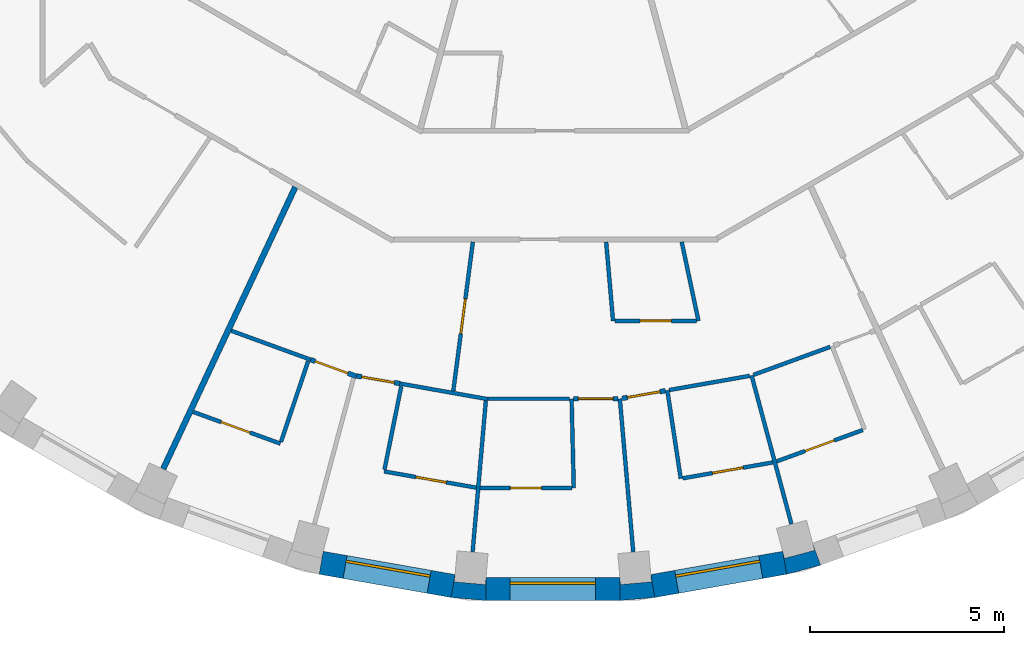
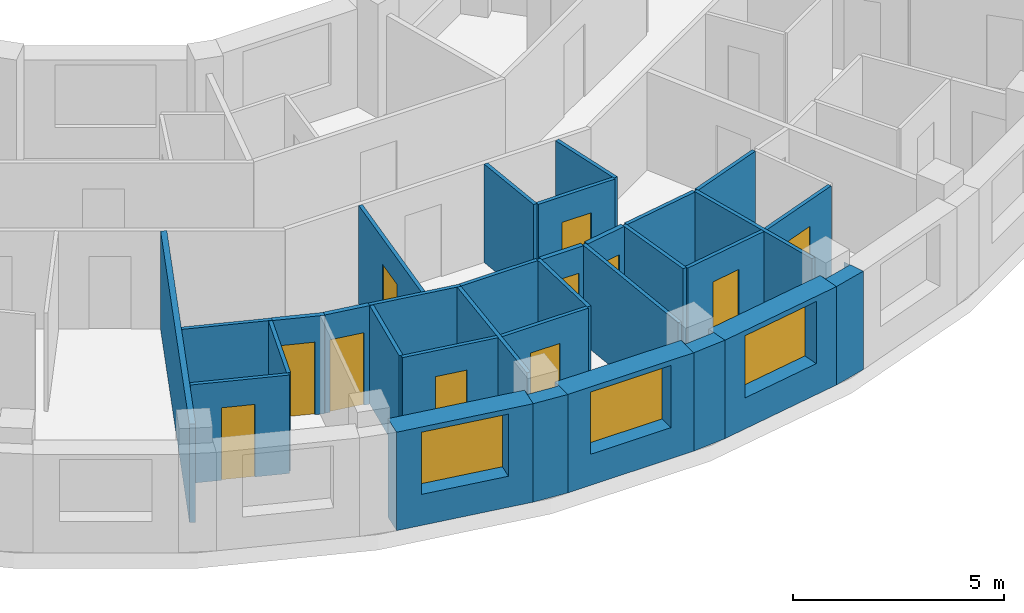
# One storey, part 4 of 15: 32 walls, 11 doors, 3 windows, 14 openings.
"""IFC4 building model written with IfcOpenShell, lengths in metres."""

from ifc_helpers import new_model, si_unit, direction, frame, frame_2d, origin, place, context, subcontext, project, spatial, polyline, rectangle, outline, extrude, material, layer, layer_set, type_object, element, fill, save


model = new_model("IFC4")

# Units and contexts
model_context = context("Model", 3, precision=1e-05, world=origin(), true_north=direction((0.0, 1.0)))
body_context = subcontext(model_context, "Body", "Model", "MODEL_VIEW")
ifc_project = project(units=[si_unit("LENGTHUNIT", "METRE"), si_unit("AREAUNIT", "SQUARE_METRE"), si_unit("VOLUMEUNIT", "CUBIC_METRE"), si_unit("PLANEANGLEUNIT", "RADIAN"), si_unit("MASSUNIT", "GRAM", prefix="KILO")], contexts=[model_context])

# Site, building, storey
site_placement = place(None, origin())
site = spatial("IfcSite", under=ifc_project, at=site_placement, CompositionType="ELEMENT")
building_placement = place(site_placement, origin())
building = spatial("IfcBuilding", under=site, at=building_placement, Name="Saqina Gate Tower", CompositionType="ELEMENT")
storey_placement = place(building_placement, frame((0.0, 0.0, 197.10009765625)))
storey = spatial("IfcBuildingStorey", under=building, at=storey_placement, Name="L56", CompositionType="ELEMENT", Elevation=197.10009765625)

# Walls
ifc_material_1 = material(Name="Brick masonry (buff)", Category="masonry")
wall_type_1 = type_object("IfcWallType", Name="BRICK PIER COPING BUFF", PredefinedType="SOLIDWALL", material=ifc_material_1)
wall_1_placement = place(storey_placement, origin())
element("IfcWall", 1, at=wall_1_placement, inside=storey, type_object=wall_type_1, Name="Pier cap L56 column 27", PredefinedType="SOLIDWALL", context=body_context, shape_type="SweptSolid", body=[
    extrude(outline(polyline([(-2.6259765625, -24.825927734375), (-1.724853515625, -24.90478515625), (-1.724853515625, -24.304931640625), (-1.7412109375, -24.491455078125), (-2.5380859375, -24.421630859375), (-2.521728515625, -24.235107421875), (-2.6259765625, -24.825927734375)])), origin(), (0.0, 0.0, 1.0), 2.849853515625),
])
wall_2_placement = place(storey_placement, origin())
element("IfcWall", 2, at=wall_2_placement, inside=storey, type_object=wall_type_1, Name="Pier cap L56 column 28", PredefinedType="SOLIDWALL", context=body_context, shape_type="SweptSolid", body=[
    extrude(outline(polyline([(1.724853515625, -24.90478515625), (2.6259765625, -24.825927734375), (2.521728515625, -24.235107421875), (2.5380859375, -24.421630859375), (1.7412109375, -24.491455078125), (1.724853515625, -24.304931640625), (1.724853515625, -24.90478515625)])), origin(), (0.0, 0.0, 1.0), 2.849853515625),
])
wall_3_placement = place(storey_placement, origin())
element("IfcWall", 3, at=wall_3_placement, inside=storey, type_object=wall_type_1, Name="Pier cap L56 column 29", PredefinedType="SOLIDWALL", context=body_context, shape_type="SweptSolid", body=[
    extrude(outline(polyline([(6.0234375, -24.22705078125), (6.897216796875, -23.992919921875), (6.69189453125, -23.428955078125), (6.740478515625, -23.610107421875), (5.967529296875, -23.81689453125), (5.919189453125, -23.635986328125), (6.0234375, -24.22705078125)])), origin(), (0.0, 0.0, 1.0), 2.849853515625),
])

# Wall, opening, window
ifc_material_2 = material(Name="Brick masonry (buff)", Category="masonry")
ifc_layer_1 = layer(ifc_material_2, 0.60009765625)
ifc_layer_set_1 = layer_set([ifc_layer_1], Name="FW-BRICK-BUFF")
wall_type_2 = type_object("IfcWallType", Name="FW-BRICK-BUFF", PredefinedType="SOLIDWALL", material=ifc_layer_set_1)
wall_4_placement = place(storey_placement, frame((-5.97119140625, -23.931640625, 0.0), z_axis=(0.0, 0.0, 1.0), x_axis=(0.984814892183, -0.173607684551, 0.0)))
wall_4 = element("IfcWall", 4, at=wall_4_placement, inside=storey, type_object=wall_type_2, Name="Facade wall L56 facet 26", PredefinedType="SOLIDWALL", context=body_context, shape_type="SweptSolid", body=[
    extrude(rectangle(XDim=3.44970703125, YDim=0.60009765625, at=frame_2d((1.724853515625, 0.0))), origin(), (0.0, 0.0, 1.0), 2.849853515625),
])
opening_1_placement = place(wall_4_placement, frame((0.625, 0.0, 0.89990234375)))
opening_1 = element("IfcOpeningElement", 5, at=opening_1_placement, cuts=wall_4, Name="Opening G16-W15", PredefinedType="OPENING", context=body_context, shape_type="SweptSolid", body=[
    extrude(rectangle(XDim=2.199951171875, YDim=1.800048828125, at=frame_2d((1.10009765625, 0.89990234375))), frame((0.0, 0.31201171875, 0.0), z_axis=(0.0, -1.0, 0.0), x_axis=(1.0, 0.0, 0.0)), (0.0, 0.0, 1.0), 0.6240234375),
])
ifc_material_3 = material(Name="Aluminium glazing", Category="aluminium")
window_type = type_object("IfcWindowType", Name="WN-C", PartitioningType="SINGLE_PANEL", PredefinedType="WINDOW", material=ifc_material_3)
window_1_placement = place(opening_1_placement, origin())
window_1 = element("IfcWindow", 6, at=window_1_placement, inside=storey, type_object=window_type, Name="Window L56 facet 26", OverallHeight=1.800048828125, OverallWidth=2.199951171875, PartitioningType="SINGLE_PANEL", PredefinedType="WINDOW", context=body_context, shape_type="SweptSolid", body=[
    extrude(rectangle(XDim=2.199951171875, YDim=1.800048828125, at=frame_2d((1.10009765625, 0.89990234375))), frame((0.0, 0.179931640625, 0.0), z_axis=(0.0, -1.0, 0.0), x_axis=(1.0, 0.0, 0.0)), (0.0, 0.0, 1.0), 0.06005859375),
])
fill(opening_1, window_1)

wall_5_placement = place(storey_placement, frame((-1.724853515625, -24.60498046875, 0.0), z_axis=(0.0, 0.0, 1.0), x_axis=(1.0, 0.0, 0.0)))
wall_5 = element("IfcWall", 7, at=wall_5_placement, inside=storey, type_object=wall_type_2, Name="Facade wall L56 facet 27", PredefinedType="SOLIDWALL", context=body_context, shape_type="SweptSolid", body=[
    extrude(rectangle(XDim=3.44970703125, YDim=0.60009765625, at=frame_2d((1.724853515625, 0.0))), origin(), (0.0, 0.0, 1.0), 2.849853515625),
])
opening_2_placement = place(wall_5_placement, frame((0.625, 0.0, 0.89990234375)))
opening_2 = element("IfcOpeningElement", 8, at=opening_2_placement, cuts=wall_5, Name="Opening G16-W16", PredefinedType="OPENING", context=body_context, shape_type="SweptSolid", body=[
    extrude(rectangle(XDim=2.199951171875, YDim=1.800048828125, at=frame_2d((1.10009765625, 0.89990234375))), frame((0.0, 0.31201171875, 0.0), z_axis=(0.0, -1.0, 0.0), x_axis=(1.0, 0.0, 0.0)), (0.0, 0.0, 1.0), 0.6240234375),
])
window_2_placement = place(opening_2_placement, origin())
window_2 = element("IfcWindow", 9, at=window_2_placement, inside=storey, type_object=window_type, Name="Window L56 facet 27", OverallHeight=1.800048828125, OverallWidth=2.199951171875, PartitioningType="SINGLE_PANEL", PredefinedType="WINDOW", context=body_context, shape_type="SweptSolid", body=[
    extrude(rectangle(XDim=2.199951171875, YDim=1.800048828125, at=frame_2d((1.10009765625, 0.89990234375))), frame((0.0, 0.179931640625, 0.0), z_axis=(0.0, -1.0, 0.0), x_axis=(1.0, 0.0, 0.0)), (0.0, 0.0, 1.0), 0.06005859375),
])
fill(opening_2, window_2)

wall_6_placement = place(storey_placement, frame((2.573974609375, -24.530517578125, 0.0), z_axis=(0.0, 0.0, 1.0), x_axis=(0.984814892183, 0.173607684551, 0.0)))
wall_6 = element("IfcWall", 10, at=wall_6_placement, inside=storey, type_object=wall_type_2, Name="Facade wall L56 facet 28", PredefinedType="SOLIDWALL", context=body_context, shape_type="SweptSolid", body=[
    extrude(rectangle(XDim=3.44970703125, YDim=0.60009765625, at=frame_2d((1.724853515625, 0.0))), origin(), (0.0, 0.0, 1.0), 2.849853515625),
])
opening_3_placement = place(wall_6_placement, frame((0.625, 0.0, 0.89990234375)))
opening_3 = element("IfcOpeningElement", 11, at=opening_3_placement, cuts=wall_6, Name="Opening G16-W17", PredefinedType="OPENING", context=body_context, shape_type="SweptSolid", body=[
    extrude(rectangle(XDim=2.199951171875, YDim=1.800048828125, at=frame_2d((1.10009765625, 0.89990234375))), frame((0.0, 0.31201171875, 0.0), z_axis=(0.0, -1.0, 0.0), x_axis=(1.0, 0.0, 0.0)), (0.0, 0.0, 1.0), 0.6240234375),
])
window_3_placement = place(opening_3_placement, origin())
window_3 = element("IfcWindow", 12, at=window_3_placement, inside=storey, type_object=window_type, Name="Window L56 facet 28", OverallHeight=1.800048828125, OverallWidth=2.199951171875, PartitioningType="SINGLE_PANEL", PredefinedType="WINDOW", context=body_context, shape_type="SweptSolid", body=[
    extrude(rectangle(XDim=2.199951171875, YDim=1.800048828125, at=frame_2d((1.10009765625, 0.89990234375))), frame((0.0, 0.179931640625, 0.0), z_axis=(0.0, -1.0, 0.0), x_axis=(1.0, 0.0, 0.0)), (0.0, 0.0, 1.0), 0.06005859375),
])
fill(opening_3, window_3)

# Walls
ifc_material_4 = material(Name="Gypsum board on steel studs, 100 mm", Category="steel")
ifc_layer_2 = layer(ifc_material_4, 0.10009765625)
ifc_layer_set_2 = layer_set([ifc_layer_2], Name="PARTITION 100")
wall_type_3 = type_object("IfcWallType", Name="PARTITION 100", PredefinedType="PARTITIONING", material=ifc_layer_set_2)
wall_7_placement = place(storey_placement, frame((0.48095703125, -19.705078125, 0.0), z_axis=(0.0, 0.0, 1.0), x_axis=(0.024408861322, -0.99970205936, 0.0)))
element("IfcWall", 13, at=wall_7_placement, inside=storey, type_object=wall_type_3, Name="PARTITION PW3-01", PredefinedType="PARTITIONING", context=body_context, shape_type="SweptSolid", body=[
    extrude(rectangle(XDim=2.300537109375, YDim=0.10009765625, at=frame_2d((1.150390625, 0.0))), origin(), (0.0, 0.0, 1.0), 2.849853515625),
])
wall_8_placement = place(storey_placement, frame((1.370849609375, -15.662109375, 0.0), z_axis=(0.0, 0.0, 1.0), x_axis=(0.087124015283, -0.996197473376, 0.0)))
element("IfcWall", 14, at=wall_8_placement, inside=storey, type_object=wall_type_3, Name="PARTITION PW3-03", PredefinedType="PARTITIONING", context=body_context, shape_type="SweptSolid", body=[
    extrude(rectangle(XDim=2.045654296875, YDim=0.10009765625, at=frame_2d((1.02294921875, 0.0))), origin(), (0.0, 0.0, 1.0), 2.849853515625),
])
wall_9_placement = place(storey_placement, frame((1.72412109375, -19.705078125, 0.0), z_axis=(0.0, 0.0, 1.0), x_axis=(0.087060633562, -0.996203014492, 0.0)))
element("IfcWall", 15, at=wall_9_placement, inside=storey, type_object=wall_type_3, Name="PARTITION PW3-04", PredefinedType="PARTITIONING", context=body_context, shape_type="SweptSolid", body=[
    extrude(rectangle(XDim=3.959716796875, YDim=0.10009765625, at=frame_2d((1.97998046875, 0.0))), origin(), (0.0, 0.0, 1.0), 2.849853515625),
])
wall_10_placement = place(storey_placement, frame((2.947998046875, -19.489013671875, 0.0), z_axis=(0.0, 0.0, 1.0), x_axis=(0.149927962289, -0.98869692329, 0.0)))
element("IfcWall", 16, at=wall_10_placement, inside=storey, type_object=wall_type_3, Name="PARTITION PW3-06", PredefinedType="PARTITIONING", context=body_context, shape_type="SweptSolid", body=[
    extrude(rectangle(XDim=2.301025390625, YDim=0.10009765625, at=frame_2d((1.150390625, 0.0))), origin(), (0.0, 0.0, 1.0), 2.849853515625),
])
wall_11_placement = place(storey_placement, frame((3.31787109375, -15.6611328125, 0.0), z_axis=(0.0, 0.0, 1.0), x_axis=(0.207344548251, -0.978267978782, 0.0)))
element("IfcWall", 17, at=wall_11_placement, inside=storey, type_object=wall_type_3, Name="PARTITION PW3-08", PredefinedType="PARTITIONING", context=body_context, shape_type="SweptSolid", body=[
    extrude(rectangle(XDim=2.084228515625, YDim=0.10009765625, at=frame_2d((1.0419921875, 0.0))), origin(), (0.0, 0.0, 1.0), 2.849853515625),
])
wall_12_placement = place(storey_placement, frame((5.118896484375, -19.10595703125, 0.0), z_axis=(0.0, 0.0, 1.0), x_axis=(0.259051417791, -0.965863532255, 0.0)))
element("IfcWall", 18, at=wall_12_placement, inside=storey, type_object=wall_type_3, Name="PARTITION PW3-09", PredefinedType="PARTITIONING", context=body_context, shape_type="SweptSolid", body=[
    extrude(rectangle(XDim=3.960205078125, YDim=0.10009765625, at=frame_2d((1.97998046875, 0.0))), origin(), (0.0, 0.0, 1.0), 2.849853515625),
])

# Wall, opening, door
wall_13_placement = place(storey_placement, frame((-9.264404296875, -20.044677734375, 0.0), z_axis=(0.0, 0.0, 1.0), x_axis=(0.939661926998, -0.342104462045, 0.0)))
wall_13 = element("IfcWall", 19, at=wall_13_placement, inside=storey, type_object=wall_type_3, Name="PARTITION PW3-43", PredefinedType="PARTITIONING", context=body_context, shape_type="SweptSolid", body=[
    extrude(rectangle(XDim=2.386474609375, YDim=0.10009765625, at=frame_2d((1.193359375, 0.0))), origin(), (0.0, 0.0, 1.0), 2.849853515625),
])
opening_4_placement = place(wall_13_placement, frame((0.755615234375, 0.0, 0.0)))
opening_4 = element("IfcOpeningElement", 20, at=opening_4_placement, cuts=wall_13, Name="Opening G16-D38", PredefinedType="OPENING", context=body_context, shape_type="SweptSolid", body=[
    extrude(rectangle(XDim=0.800048828125, YDim=2.10009765625, at=frame_2d((0.39990234375, 1.050048828125))), frame((0.0, 0.06201171875, 0.0), z_axis=(0.0, -1.0, 0.0), x_axis=(1.0, 0.0, 0.0)), (0.0, 0.0, 1.0), 0.1240234375),
])
ifc_material_5 = material(Name="Timber door leaf, 800 mm", Category="wood")
door_type_1 = type_object("IfcDoorType", Name="DOOR 800 TIMBER", OperationType="SINGLE_SWING_LEFT", PredefinedType="DOOR", material=ifc_material_5)
door_1_placement = place(opening_4_placement, frame((0.800048828125, 0.0, 0.0), z_axis=(0.0, 0.0, 1.0), x_axis=(-1.0, 0.0, 0.0)))
door_1 = element("IfcDoor", 21, at=door_1_placement, inside=storey, type_object=door_type_1, Name="DOOR G16-D38", OperationType="SINGLE_SWING_RIGHT", OverallHeight=2.10009765625, OverallWidth=0.800048828125, PredefinedType="DOOR", context=body_context, shape_type="SweptSolid", body=[
    extrude(rectangle(XDim=0.800048828125, YDim=2.10009765625, at=frame_2d((0.39990234375, 1.050048828125))), frame((0.0, 0.02490234375, 0.0), z_axis=(0.0, -1.0, 0.0), x_axis=(1.0, 0.0, 0.0)), (0.0, 0.0, 1.0), 0.050048828125),
])
fill(opening_4, door_1)

# Walls
wall_14_placement = place(storey_placement, frame((-8.28857421875, -17.952880859375, 0.0), z_axis=(0.0, 0.0, 1.0), x_axis=(0.939678877388, -0.34205790064, 0.0)))
element("IfcWall", 22, at=wall_14_placement, inside=storey, type_object=wall_type_3, Name="PARTITION PW3-44", PredefinedType="PARTITIONING", context=body_context, shape_type="SweptSolid", body=[
    extrude(rectangle(XDim=2.178955078125, YDim=0.10009765625, at=frame_2d((1.08935546875, 0.0))), origin(), (0.0, 0.0, 1.0), 2.849853515625),
])
wall_15_placement = place(storey_placement, frame((-3.944091796875, -19.312744140625, 0.0), z_axis=(0.0, 0.0, 1.0), x_axis=(0.984635015371, -0.174624988207, 0.0)))
element("IfcWall", 23, at=wall_15_placement, inside=storey, type_object=wall_type_3, Name="PARTITION PW3-47", PredefinedType="PARTITIONING", context=body_context, shape_type="SweptSolid", body=[
    extrude(rectangle(XDim=2.305419921875, YDim=0.10009765625, at=frame_2d((1.15283203125, 0.0))), origin(), (0.0, 0.0, 1.0), 2.849853515625),
])

# Wall, opening, door
wall_16_placement = place(storey_placement, frame((-4.35009765625, -21.576904296875, 0.0), z_axis=(0.0, 0.0, 1.0), x_axis=(0.984773370293, -0.173843058997, 0.0)))
wall_16 = element("IfcWall", 24, at=wall_16_placement, inside=storey, type_object=wall_type_3, Name="PARTITION PW3-48", PredefinedType="PARTITIONING", context=body_context, shape_type="SweptSolid", body=[
    extrude(rectangle(XDim=2.41259765625, YDim=0.10009765625, at=frame_2d((1.206298828125, 0.0))), origin(), (0.0, 0.0, 1.0), 2.849853515625),
])
opening_5_placement = place(wall_16_placement, frame((0.831298828125, 0.0, 0.0)))
opening_5 = element("IfcOpeningElement", 25, at=opening_5_placement, cuts=wall_16, Name="Opening G16-D41", PredefinedType="OPENING", context=body_context, shape_type="SweptSolid", body=[
    extrude(rectangle(XDim=0.800048828125, YDim=2.10009765625, at=frame_2d((0.39990234375, 1.050048828125))), frame((0.0, 0.06201171875, 0.0), z_axis=(0.0, -1.0, 0.0), x_axis=(1.0, 0.0, 0.0)), (0.0, 0.0, 1.0), 0.1240234375),
])
door_2_placement = place(opening_5_placement, frame((0.800048828125, 0.0, 0.0), z_axis=(0.0, 0.0, 1.0), x_axis=(-1.0, 0.0, 0.0)))
door_2 = element("IfcDoor", 26, at=door_2_placement, inside=storey, type_object=door_type_1, Name="DOOR G16-D41", OperationType="SINGLE_SWING_LEFT", OverallHeight=2.10009765625, OverallWidth=0.800048828125, PredefinedType="DOOR", context=body_context, shape_type="SweptSolid", body=[
    extrude(rectangle(XDim=0.800048828125, YDim=2.10009765625, at=frame_2d((0.39990234375, 1.050048828125))), frame((0.0, 0.02490234375, 0.0), z_axis=(0.0, -1.0, 0.0), x_axis=(1.0, 0.0, 0.0)), (0.0, 0.0, 1.0), 0.050048828125),
])
fill(opening_5, door_2)

wall_17_placement = place(storey_placement, frame((-1.875, -22.0048828125, 0.0), z_axis=(0.0, 0.0, 1.0), x_axis=(1.0, 0.0, 0.0)))
wall_17 = element("IfcWall", 27, at=wall_17_placement, inside=storey, type_object=wall_type_3, Name="PARTITION PW3-51", PredefinedType="PARTITIONING", context=body_context, shape_type="SweptSolid", body=[
    extrude(rectangle(XDim=2.362060546875, YDim=0.10009765625, at=frame_2d((1.18115234375, 0.0))), origin(), (0.0, 0.0, 1.0), 2.849853515625),
])
opening_6_placement = place(wall_17_placement, frame((0.781005859375, 0.0, 0.0)))
opening_6 = element("IfcOpeningElement", 28, at=opening_6_placement, cuts=wall_17, Name="Opening G16-D44", PredefinedType="OPENING", context=body_context, shape_type="SweptSolid", body=[
    extrude(rectangle(XDim=0.800048828125, YDim=2.10009765625, at=frame_2d((0.39990234375, 1.050048828125))), frame((0.0, 0.06201171875, 0.0), z_axis=(0.0, -1.0, 0.0), x_axis=(1.0, 0.0, 0.0)), (0.0, 0.0, 1.0), 0.1240234375),
])
door_3_placement = place(opening_6_placement, frame((0.800048828125, 0.0, 0.0), z_axis=(0.0, 0.0, 1.0), x_axis=(-1.0, 0.0, 0.0)))
door_3 = element("IfcDoor", 29, at=door_3_placement, inside=storey, type_object=door_type_1, Name="DOOR G16-D44", OperationType="SINGLE_SWING_RIGHT", OverallHeight=2.10009765625, OverallWidth=0.800048828125, PredefinedType="DOOR", context=body_context, shape_type="SweptSolid", body=[
    extrude(rectangle(XDim=0.800048828125, YDim=2.10009765625, at=frame_2d((0.39990234375, 1.050048828125))), frame((0.0, 0.02490234375, 0.0), z_axis=(0.0, -1.0, 0.0), x_axis=(1.0, 0.0, 0.0)), (0.0, 0.0, 1.0), 0.050048828125),
])
fill(opening_6, door_3)

# Wall
wall_18_placement = place(storey_placement, frame((-1.674072265625, -19.705078125, 0.0), z_axis=(0.0, 0.0, 1.0), x_axis=(1.0, 0.0, 0.0)))
element("IfcWall", 30, at=wall_18_placement, inside=storey, type_object=wall_type_3, Name="PARTITION PW3-52", PredefinedType="PARTITIONING", context=body_context, shape_type="SweptSolid", body=[
    extrude(rectangle(XDim=2.10498046875, YDim=0.10009765625, at=frame_2d((1.052490234375, 0.0))), origin(), (0.0, 0.0, 1.0), 2.849853515625),
])

# Wall, opening, door
wall_19_placement = place(storey_placement, frame((1.59912109375, -17.699951171875, 0.0), z_axis=(0.0, 0.0, 1.0), x_axis=(1.0, 0.0, 0.0)))
wall_19 = element("IfcWall", 31, at=wall_19_placement, inside=storey, type_object=wall_type_3, Name="PARTITION PW3-53", PredefinedType="PARTITIONING", context=body_context, shape_type="SweptSolid", body=[
    extrude(rectangle(XDim=2.100830078125, YDim=0.10009765625, at=frame_2d((1.05029296875, 0.0))), origin(), (0.0, 0.0, 1.0), 2.849853515625),
])
opening_7_placement = place(wall_19_placement, frame((0.650390625, 0.0, 0.0)))
opening_7 = element("IfcOpeningElement", 32, at=opening_7_placement, cuts=wall_19, Name="Opening G16-D49", PredefinedType="OPENING", context=body_context, shape_type="SweptSolid", body=[
    extrude(rectangle(XDim=0.800048828125, YDim=2.10009765625, at=frame_2d((0.39990234375, 1.050048828125))), frame((0.0, 0.06201171875, 0.0), z_axis=(0.0, -1.0, 0.0), x_axis=(1.0, 0.0, 0.0)), (0.0, 0.0, 1.0), 0.1240234375),
])
door_4_placement = place(opening_7_placement, frame((0.800048828125, 0.0, 0.0), z_axis=(0.0, 0.0, 1.0), x_axis=(-1.0, 0.0, 0.0)))
door_4 = element("IfcDoor", 33, at=door_4_placement, inside=storey, type_object=door_type_1, Name="DOOR G16-D49", OperationType="SINGLE_SWING_RIGHT", OverallHeight=2.10009765625, OverallWidth=0.800048828125, PredefinedType="DOOR", context=body_context, shape_type="SweptSolid", body=[
    extrude(rectangle(XDim=0.800048828125, YDim=2.10009765625, at=frame_2d((0.39990234375, 1.050048828125))), frame((0.0, 0.02490234375, 0.0), z_axis=(0.0, -1.0, 0.0), x_axis=(1.0, 0.0, 0.0)), (0.0, 0.0, 1.0), 0.050048828125),
])
fill(opening_7, door_4)

wall_20_placement = place(storey_placement, frame((3.34228515625, -21.75537109375, 0.0), z_axis=(0.0, 0.0, 1.0), x_axis=(0.984763777024, 0.173897393486, 0.0)))
wall_20 = element("IfcWall", 34, at=wall_20_placement, inside=storey, type_object=wall_type_3, Name="PARTITION PW3-59", PredefinedType="PARTITIONING", context=body_context, shape_type="SweptSolid", body=[
    extrude(rectangle(XDim=2.361328125, YDim=0.10009765625, at=frame_2d((1.1806640625, 0.0))), origin(), (0.0, 0.0, 1.0), 2.849853515625),
])
opening_8_placement = place(wall_20_placement, frame((0.78076171875, 0.0, 0.0)))
opening_8 = element("IfcOpeningElement", 35, at=opening_8_placement, cuts=wall_20, Name="Opening G16-D50", PredefinedType="OPENING", context=body_context, shape_type="SweptSolid", body=[
    extrude(rectangle(XDim=0.800048828125, YDim=2.10009765625, at=frame_2d((0.39990234375, 1.050048828125))), frame((0.0, 0.06201171875, 0.0), z_axis=(0.0, -1.0, 0.0), x_axis=(1.0, 0.0, 0.0)), (0.0, 0.0, 1.0), 0.1240234375),
])
door_5_placement = place(opening_8_placement, frame((0.800048828125, 0.0, 0.0), z_axis=(0.0, 0.0, 1.0), x_axis=(-1.0, 0.0, 0.0)))
door_5 = element("IfcDoor", 36, at=door_5_placement, inside=storey, type_object=door_type_1, Name="DOOR G16-D50", OperationType="SINGLE_SWING_RIGHT", OverallHeight=2.10009765625, OverallWidth=0.800048828125, PredefinedType="DOOR", context=body_context, shape_type="SweptSolid", body=[
    extrude(rectangle(XDim=0.800048828125, YDim=2.10009765625, at=frame_2d((0.39990234375, 1.050048828125))), frame((0.0, 0.02490234375, 0.0), z_axis=(0.0, -1.0, 0.0), x_axis=(1.0, 0.0, 0.0)), (0.0, 0.0, 1.0), 0.050048828125),
])
fill(opening_8, door_5)

# Wall
wall_21_placement = place(storey_placement, frame((2.997314453125, -19.480224609375, 0.0), z_axis=(0.0, 0.0, 1.0), x_axis=(0.984804573467, 0.173666208797, 0.0)))
element("IfcWall", 37, at=wall_21_placement, inside=storey, type_object=wall_type_3, Name="PARTITION PW3-60", PredefinedType="PARTITIONING", context=body_context, shape_type="SweptSolid", body=[
    extrude(rectangle(XDim=2.1044921875, YDim=0.10009765625, at=frame_2d((1.05224609375, 0.0))), origin(), (0.0, 0.0, 1.0), 2.849853515625),
])

# Wall, opening, door
wall_22_placement = place(storey_placement, frame((5.763916015625, -21.31884765625, 0.0), z_axis=(0.0, 0.0, 1.0), x_axis=(0.939663558851, 0.342099979782, 0.0)))
wall_22 = element("IfcWall", 38, at=wall_22_placement, inside=storey, type_object=wall_type_3, Name="PARTITION PW3-63", PredefinedType="PARTITIONING", context=body_context, shape_type="SweptSolid", body=[
    extrude(rectangle(XDim=2.361572265625, YDim=0.10009765625, at=frame_2d((1.1806640625, 0.0))), origin(), (0.0, 0.0, 1.0), 2.849853515625),
])
opening_9_placement = place(wall_22_placement, frame((0.78076171875, 0.0, 0.0)))
opening_9 = element("IfcOpeningElement", 39, at=opening_9_placement, cuts=wall_22, Name="Opening G16-D51", PredefinedType="OPENING", context=body_context, shape_type="SweptSolid", body=[
    extrude(rectangle(XDim=0.800048828125, YDim=2.10009765625, at=frame_2d((0.39990234375, 1.050048828125))), frame((0.0, 0.06201171875, 0.0), z_axis=(0.0, -1.0, 0.0), x_axis=(1.0, 0.0, 0.0)), (0.0, 0.0, 1.0), 0.1240234375),
])
door_6_placement = place(opening_9_placement, frame((0.800048828125, 0.0, 0.0), z_axis=(0.0, 0.0, 1.0), x_axis=(-1.0, 0.0, 0.0)))
door_6 = element("IfcDoor", 40, at=door_6_placement, inside=storey, type_object=door_type_1, Name="DOOR G16-D51", OperationType="SINGLE_SWING_RIGHT", OverallHeight=2.10009765625, OverallWidth=0.800048828125, PredefinedType="DOOR", context=body_context, shape_type="SweptSolid", body=[
    extrude(rectangle(XDim=0.800048828125, YDim=2.10009765625, at=frame_2d((0.39990234375, 1.050048828125))), frame((0.0, 0.02490234375, 0.0), z_axis=(0.0, -1.0, 0.0), x_axis=(1.0, 0.0, 0.0)), (0.0, 0.0, 1.0), 0.050048828125),
])
fill(opening_9, door_6)

# Walls
wall_23_placement = place(storey_placement, frame((5.166015625, -19.0888671875, 0.0), z_axis=(0.0, 0.0, 1.0), x_axis=(0.939725675468, 0.341929312674, 0.0)))
element("IfcWall", 41, at=wall_23_placement, inside=storey, type_object=wall_type_3, Name="PARTITION PW3-64", PredefinedType="PARTITIONING", context=body_context, shape_type="SweptSolid", body=[
    extrude(rectangle(XDim=2.10498046875, YDim=0.10009765625, at=frame_2d((1.052490234375, 0.0))), origin(), (0.0, 0.0, 1.0), 2.849853515625),
])
for number, where, z_axis, x_axis, name in (
    (42, (-7.006103515625, -20.813720703125, 0.0), (0.0, 0.0, 1.0), (0.319138695408, 0.947708021014, 0.0), "PARTITION PW3-92"),
    (43, (-4.340087890625, -21.528076171875, 0.0), (0.0, 0.0, 1.0), (0.197725242549, 0.980257480695, 0.0), "PARTITION PW3-96"),
):
    element("IfcWall", number, at=place(storey_placement, frame(where, z_axis=z_axis, x_axis=x_axis)), inside=storey, type_object=wall_type_3, Name=name, PredefinedType="PARTITIONING", context=body_context, shape_type="SweptSolid", body=[
        extrude(rectangle(XDim=2.18798828125, YDim=0.10009765625, at=frame_2d((1.093994140625, 0.0))), origin(), (0.0, 0.0, 1.0), 2.849853515625),
    ])

# Wall, opening, door
wall_24_placement = place(storey_placement, frame((-2.5673828125, -19.50537109375, 0.0), z_axis=(0.0, 0.0, 1.0), x_axis=(0.130303001962, 0.991474219372, 0.0)))
wall_24 = element("IfcWall", 44, at=wall_24_placement, inside=storey, type_object=wall_type_3, Name="PARTITION PW3-99", PredefinedType="PARTITIONING", context=body_context, shape_type="SweptSolid", body=[
    extrude(rectangle(XDim=3.87646484375, YDim=0.10009765625, at=frame_2d((1.938232421875, 0.0))), origin(), (0.0, 0.0, 1.0), 2.849853515625),
])
opening_10_placement = place(wall_24_placement, frame((1.494384765625, 0.0, 0.0)))
opening_10 = element("IfcOpeningElement", 45, at=opening_10_placement, cuts=wall_24, Name="Opening G16-D42", PredefinedType="OPENING", context=body_context, shape_type="SweptSolid", body=[
    extrude(rectangle(XDim=0.89990234375, YDim=2.10009765625, at=frame_2d((0.449951171875, 1.050048828125))), frame((0.0, 0.06201171875, 0.0), z_axis=(0.0, -1.0, 0.0), x_axis=(1.0, 0.0, 0.0)), (0.0, 0.0, 1.0), 0.1240234375),
])
ifc_material_6 = material(Name="Timber door leaf, 900 mm", Category="wood")
door_type_2 = type_object("IfcDoorType", Name="DOOR 900 TIMBER", OperationType="SINGLE_SWING_LEFT", PredefinedType="DOOR", material=ifc_material_6)
door_7_placement = place(opening_10_placement, frame((0.89990234375, 0.0, 0.0), z_axis=(0.0, 0.0, 1.0), x_axis=(-1.0, 0.0, 0.0)))
door_7 = element("IfcDoor", 46, at=door_7_placement, inside=storey, type_object=door_type_2, Name="DOOR G16-D42", OperationType="SINGLE_SWING_LEFT", OverallHeight=2.10009765625, OverallWidth=0.89990234375, PredefinedType="DOOR", context=body_context, shape_type="SweptSolid", body=[
    extrude(rectangle(XDim=0.89990234375, YDim=2.10009765625, at=frame_2d((0.449951171875, 1.050048828125))), frame((0.0, 0.02490234375, 0.0), z_axis=(0.0, -1.0, 0.0), x_axis=(1.0, 0.0, 0.0)), (0.0, 0.0, 1.0), 0.050048828125),
])
fill(opening_10, door_7)

# Wall
wall_25_placement = place(storey_placement, frame((-2.06884765625, -23.649658203125, 0.0), z_axis=(0.0, 0.0, 1.0), x_axis=(0.087111950553, 0.996198528442, 0.0)))
element("IfcWall", 47, at=wall_25_placement, inside=storey, type_object=wall_type_3, Name="PARTITION PW3-102", PredefinedType="PARTITIONING", context=body_context, shape_type="SweptSolid", body=[
    extrude(rectangle(XDim=3.90966796875, YDim=0.10009765625, at=frame_2d((1.954833984375, 0.0))), origin(), (0.0, 0.0, 1.0), 2.849853515625),
])

# Wall, opening, door
ifc_material_7 = material(Name="Gypsum board on steel studs, 125 mm, fire rated", Category="steel")
ifc_layer_3 = layer(ifc_material_7, 0.125)
ifc_layer_set_3 = layer_set([ifc_layer_3], Name="PARTITION EI 30 125")
wall_type_4 = type_object("IfcWallType", Name="PARTITION EI 30 125", PredefinedType="PARTITIONING", material=ifc_layer_set_3)
wall_26_placement = place(storey_placement, frame((-6.240966796875, -18.697998046875, 0.0), z_axis=(0.0, 0.0, 1.0), x_axis=(0.939793423488, -0.341743063087, 0.0)))
wall_26 = element("IfcWall", 48, at=wall_26_placement, inside=storey, type_object=wall_type_4, Name="PARTITION PW1-18", PredefinedType="PARTITIONING", context=body_context, shape_type="SweptSolid", body=[
    extrude(rectangle(XDim=1.25732421875, YDim=0.125, at=frame_2d((0.628662109375, 0.0))), origin(), (0.0, 0.0, 1.0), 2.849853515625),
])
opening_11_placement = place(wall_26_placement, frame((0.121826171875, 0.0, 0.0)))
opening_11 = element("IfcOpeningElement", 49, at=opening_11_placement, cuts=wall_26, Name="Opening G16-D39", PredefinedType="OPENING", context=body_context, shape_type="SweptSolid", body=[
    extrude(rectangle(XDim=0.89990234375, YDim=2.10009765625, at=frame_2d((0.449951171875, 1.050048828125))), frame((0.0, 0.074462890625, 0.0), z_axis=(0.0, -1.0, 0.0), x_axis=(1.0, 0.0, 0.0)), (0.0, 0.0, 1.0), 0.14892578125),
])
ifc_material_8 = material(Name="Fire door leaf EI 30, 900 mm")
door_type_3 = type_object("IfcDoorType", Name="DOOR 900 EI 30", OperationType="SINGLE_SWING_LEFT", PredefinedType="DOOR", material=ifc_material_8)
door_8_placement = place(opening_11_placement, origin())
door_8 = element("IfcDoor", 50, at=door_8_placement, inside=storey, type_object=door_type_3, Name="DOOR G16-D39", OperationType="SINGLE_SWING_RIGHT", OverallHeight=2.10009765625, OverallWidth=0.89990234375, PredefinedType="DOOR", context=body_context, shape_type="SweptSolid", body=[
    extrude(rectangle(XDim=0.89990234375, YDim=2.10009765625, at=frame_2d((0.449951171875, 1.050048828125))), frame((0.0, 0.02490234375, 0.0), z_axis=(0.0, -1.0, 0.0), x_axis=(1.0, 0.0, 0.0)), (0.0, 0.0, 1.0), 0.050048828125),
])
fill(opening_11, door_8)

wall_27_placement = place(storey_placement, frame((-5.057373046875, -19.116943359375, 0.0), z_axis=(0.0, 0.0, 1.0), x_axis=(0.984803124218, -0.17367442682, 0.0)))
wall_27 = element("IfcWall", 51, at=wall_27_placement, inside=storey, type_object=wall_type_4, Name="PARTITION PW1-20", PredefinedType="PARTITIONING", context=body_context, shape_type="SweptSolid", body=[
    extrude(rectangle(XDim=1.130126953125, YDim=0.125, at=frame_2d((0.56494140625, 0.0))), origin(), (0.0, 0.0, 1.0), 2.849853515625),
])
opening_12_placement = place(wall_27_placement, frame((0.134033203125, 0.0, 0.0)))
opening_12 = element("IfcOpeningElement", 52, at=opening_12_placement, cuts=wall_27, Name="Opening G16-D40", PredefinedType="OPENING", context=body_context, shape_type="SweptSolid", body=[
    extrude(rectangle(XDim=0.85009765625, YDim=2.10009765625, at=frame_2d((0.425048828125, 1.050048828125))), frame((0.0, 0.074462890625, 0.0), z_axis=(0.0, -1.0, 0.0), x_axis=(1.0, 0.0, 0.0)), (0.0, 0.0, 1.0), 0.14892578125),
])
ifc_material_9 = material(Name="Fire door leaf EI 30, 850 mm")
door_type_4 = type_object("IfcDoorType", Name="DOOR 850 EI 30", OperationType="SINGLE_SWING_LEFT", PredefinedType="DOOR", material=ifc_material_9)
door_9_placement = place(opening_12_placement, origin())
door_9 = element("IfcDoor", 53, at=door_9_placement, inside=storey, type_object=door_type_4, Name="DOOR G16-D40", OperationType="SINGLE_SWING_LEFT", OverallHeight=2.10009765625, OverallWidth=0.85009765625, PredefinedType="DOOR", context=body_context, shape_type="SweptSolid", body=[
    extrude(rectangle(XDim=0.85009765625, YDim=2.10009765625, at=frame_2d((0.425048828125, 1.050048828125))), frame((0.0, 0.02490234375, 0.0), z_axis=(0.0, -1.0, 0.0), x_axis=(1.0, 0.0, 0.0)), (0.0, 0.0, 1.0), 0.050048828125),
])
fill(opening_12, door_9)

wall_28_placement = place(storey_placement, frame((0.531005859375, -19.705078125, 0.0), z_axis=(0.0, 0.0, 1.0), x_axis=(1.0, 0.0, 0.0)))
wall_28 = element("IfcWall", 54, at=wall_28_placement, inside=storey, type_object=wall_type_4, Name="PARTITION PW1-22", PredefinedType="PARTITIONING", context=body_context, shape_type="SweptSolid", body=[
    extrude(rectangle(XDim=1.14306640625, YDim=0.125, at=frame_2d((0.571533203125, 0.0))), origin(), (0.0, 0.0, 1.0), 2.849853515625),
])
opening_13_placement = place(wall_28_placement, frame((0.12158203125, 0.0, 0.0)))
opening_13 = element("IfcOpeningElement", 55, at=opening_13_placement, cuts=wall_28, Name="Opening G16-D47", PredefinedType="OPENING", context=body_context, shape_type="SweptSolid", body=[
    extrude(rectangle(XDim=0.89990234375, YDim=2.10009765625, at=frame_2d((0.449951171875, 1.050048828125))), frame((0.0, 0.074462890625, 0.0), z_axis=(0.0, -1.0, 0.0), x_axis=(1.0, 0.0, 0.0)), (0.0, 0.0, 1.0), 0.14892578125),
])
door_10_placement = place(opening_13_placement, origin())
door_10 = element("IfcDoor", 56, at=door_10_placement, inside=storey, type_object=door_type_3, Name="DOOR G16-D47", OperationType="SINGLE_SWING_RIGHT", OverallHeight=2.10009765625, OverallWidth=0.89990234375, PredefinedType="DOOR", context=body_context, shape_type="SweptSolid", body=[
    extrude(rectangle(XDim=0.89990234375, YDim=2.10009765625, at=frame_2d((0.449951171875, 1.050048828125))), frame((0.0, 0.02490234375, 0.0), z_axis=(0.0, -1.0, 0.0), x_axis=(1.0, 0.0, 0.0)), (0.0, 0.0, 1.0), 0.050048828125),
])
fill(opening_13, door_10)

wall_29_placement = place(storey_placement, frame((1.78564453125, -19.694091796875, 0.0), z_axis=(0.0, 0.0, 1.0), x_axis=(0.984803124218, 0.17367442682, 0.0)))
wall_29 = element("IfcWall", 57, at=wall_29_placement, inside=storey, type_object=wall_type_4, Name="PARTITION PW1-28", PredefinedType="PARTITIONING", context=body_context, shape_type="SweptSolid", body=[
    extrude(rectangle(XDim=1.130126953125, YDim=0.125, at=frame_2d((0.56494140625, 0.0))), origin(), (0.0, 0.0, 1.0), 2.849853515625),
])
opening_14_placement = place(wall_29_placement, frame((0.134033203125, 0.0, 0.0)))
opening_14 = element("IfcOpeningElement", 58, at=opening_14_placement, cuts=wall_29, Name="Opening G16-D48", PredefinedType="OPENING", context=body_context, shape_type="SweptSolid", body=[
    extrude(rectangle(XDim=0.85009765625, YDim=2.10009765625, at=frame_2d((0.425048828125, 1.050048828125))), frame((0.0, 0.074462890625, 0.0), z_axis=(0.0, -1.0, 0.0), x_axis=(1.0, 0.0, 0.0)), (0.0, 0.0, 1.0), 0.14892578125),
])
door_11_placement = place(opening_14_placement, origin())
door_11 = element("IfcDoor", 59, at=door_11_placement, inside=storey, type_object=door_type_4, Name="DOOR G16-D48", OperationType="SINGLE_SWING_LEFT", OverallHeight=2.10009765625, OverallWidth=0.85009765625, PredefinedType="DOOR", context=body_context, shape_type="SweptSolid", body=[
    extrude(rectangle(XDim=0.85009765625, YDim=2.10009765625, at=frame_2d((0.425048828125, 1.050048828125))), frame((0.0, 0.02490234375, 0.0), z_axis=(0.0, -1.0, 0.0), x_axis=(1.0, 0.0, 0.0)), (0.0, 0.0, 1.0), 0.050048828125),
])
fill(opening_14, door_11)

# Wall
ifc_material_10 = material(Name="Gypsum board on steel studs, 150 mm, fire rated", Category="steel")
ifc_layer_4 = layer(ifc_material_10, 0.14990234375)
ifc_layer_set_4 = layer_set([ifc_layer_4], Name="PARTITION EI 60 150")
wall_type_5 = type_object("IfcWallType", Name="PARTITION EI 60 150", PredefinedType="PARTITIONING", material=ifc_layer_set_4)
wall_30_placement = place(storey_placement, frame((-10.041259765625, -21.511962890625, 0.0), z_axis=(0.0, 0.0, 1.0), x_axis=(0.424428415396, 0.905461495705, 0.0)))
element("IfcWall", 60, at=wall_30_placement, inside=storey, type_object=wall_type_5, Name="PARTITION PW2-06", PredefinedType="PARTITIONING", context=body_context, shape_type="SweptSolid", body=[
    extrude(rectangle(XDim=8.01806640625, YDim=0.14990234375, at=frame_2d((4.009033203125, 0.0))), origin(), (0.0, 0.0, 1.0), 2.849853515625),
])

save(model, "model.ifc")
